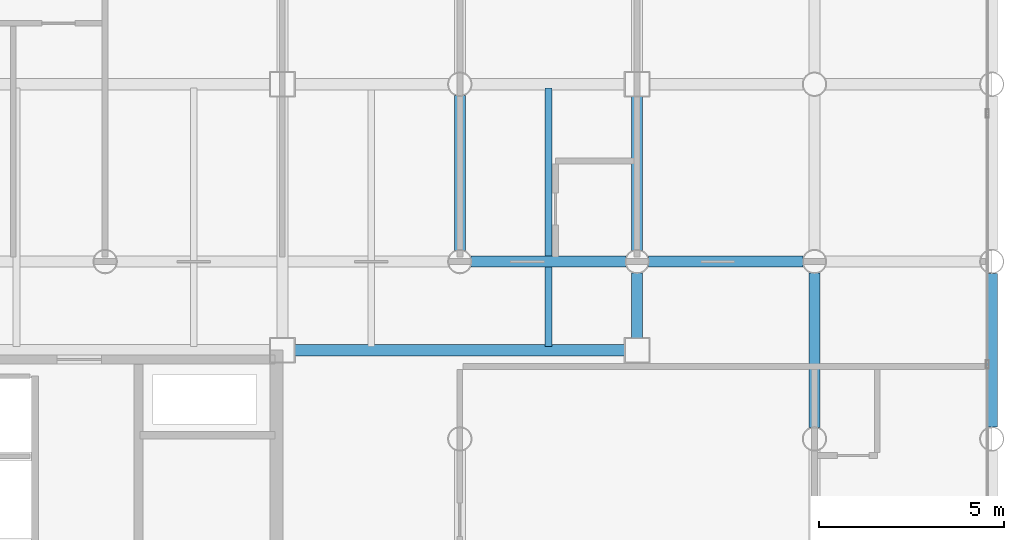
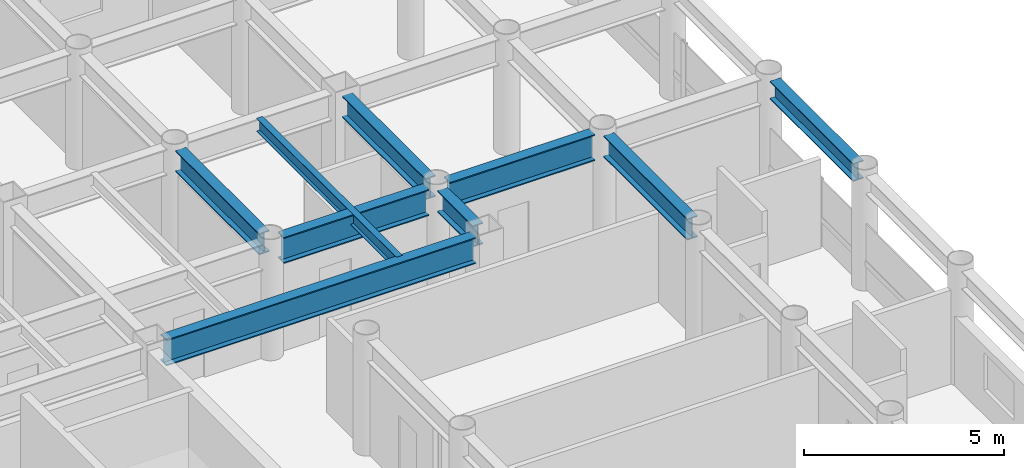
# One storey, part 9 of 22: 9 beams.
"""IFC4 building model written with IfcOpenShell, lengths in metres."""

from ifc_helpers import new_model, si_unit, direction, frame, origin, origin_2d, place, context, subcontext, project, spatial, i_section, extrude, material, material_profile, profile_set, type_object, element, save


model = new_model("IFC4")

# Units and contexts
model_context = context("Model", 3, precision=1e-05, world=origin(), true_north=direction((0.0, 1.0)))
body_context = subcontext(model_context, "Body", "Model", "MODEL_VIEW")
ifc_project = project(units=[si_unit("LENGTHUNIT", "METRE"), si_unit("AREAUNIT", "SQUARE_METRE"), si_unit("VOLUMEUNIT", "CUBIC_METRE"), si_unit("PLANEANGLEUNIT", "RADIAN"), si_unit("MASSUNIT", "GRAM", prefix="KILO")], contexts=[model_context])

# Site, building, storey
site_placement = place(None, origin())
site = spatial("IfcSite", under=ifc_project, at=site_placement, CompositionType="ELEMENT")
building_placement = place(site_placement, origin())
building = spatial("IfcBuilding", under=site, at=building_placement, Name="Kallvorn Hotel Tower", CompositionType="ELEMENT")
storey_placement = place(building_placement, frame((0.0, 0.0, 106.300048828125)))
storey = spatial("IfcBuildingStorey", under=building, at=storey_placement, Name="L25", CompositionType="ELEMENT", Elevation=106.300048828125)

# Beams
ifc_material_1 = material(Name="Structural steel S355JR", Category="steel")
ifc_material_profile_1 = material_profile(ifc_material_1, i_section(OverallWidth=0.300048828125, OverallDepth=0.550048828125, WebThickness=0.014892578125, FlangeThickness=0.029052734375, at=origin_2d()), Name="HE 550 B")
ifc_profile_set_1 = profile_set([ifc_material_profile_1], Name="Structural steel S355JR")
beam_type_1 = type_object("IfcBeamType", Name="BM_HE550B", PredefinedType="SPANDREL", material=ifc_profile_set_1)
beam_1_placement = place(storey_placement, frame((33.60009765625, 5.1201171875, 3.244873046875), z_axis=(0.0, 1.0, 0.0), x_axis=(-1.0, 0.0, 0.0)))
element("IfcBeam", 1, at=beam_1_placement, inside=storey, type_object=beam_type_1, Name="L26 Perimeter Spandrel 186", PredefinedType="SPANDREL", context=body_context, shape_type="SweptSolid", body=[
    extrude(i_section(OverallWidth=0.300048828125, OverallDepth=0.550048828125, WebThickness=0.014892578125, FlangeThickness=0.029052734375, at=origin_2d()), origin(), (0.0, 0.0, 1.0), 4.159912109375),
])
ifc_material_2 = material(Name="Structural steel S355JR", Category="steel")
ifc_material_profile_2 = material_profile(ifc_material_2, i_section(OverallWidth=0.300048828125, OverallDepth=0.64990234375, WebThickness=0.01611328125, FlangeThickness=0.031005859375, at=origin_2d()), Name="HE 650 B")
ifc_profile_set_2 = profile_set([ifc_material_profile_2], Name="Structural steel S355JR")
beam_type_2 = type_object("IfcBeamType", Name="BM_HE650B", PredefinedType="BEAM", material=ifc_profile_set_2)
beam_2_placement = place(storey_placement, frame((19.199951171875, 9.905029296875, 3.195068359375), z_axis=(0.0, 1.0, 0.0), x_axis=(-1.0, 0.0, 0.0)))
element("IfcBeam", 2, at=beam_2_placement, inside=storey, type_object=beam_type_2, Name="L26 Primary Y-Girder 132", PredefinedType="BEAM", context=body_context, shape_type="SweptSolid", body=[
    extrude(i_section(OverallWidth=0.300048828125, OverallDepth=0.64990234375, WebThickness=0.01611328125, FlangeThickness=0.031005859375, at=origin_2d()), origin(), (0.0, 0.0, 1.0), 4.18994140625),
])
beam_3_placement = place(storey_placement, frame((24.0, 7.52490234375, 3.195068359375), z_axis=(0.0, 1.0, 0.0), x_axis=(-1.0, 0.0, 0.0)))
element("IfcBeam", 3, at=beam_3_placement, inside=storey, type_object=beam_type_2, Name="L26 Primary Y-Girder 138", PredefinedType="BEAM", context=body_context, shape_type="SweptSolid", body=[
    extrude(i_section(OverallWidth=0.300048828125, OverallDepth=0.64990234375, WebThickness=0.01611328125, FlangeThickness=0.031005859375, at=origin_2d()), origin(), (0.0, 0.0, 1.0), 1.77001953125),
])
beam_4_placement = place(storey_placement, frame((24.0, 9.905029296875, 3.195068359375), z_axis=(0.0, 1.0, 0.0), x_axis=(-1.0, 0.0, 0.0)))
element("IfcBeam", 4, at=beam_4_placement, inside=storey, type_object=beam_type_2, Name="L26 Primary Y-Girder 139", PredefinedType="BEAM", context=body_context, shape_type="SweptSolid", body=[
    extrude(i_section(OverallWidth=0.300048828125, OverallDepth=0.64990234375, WebThickness=0.01611328125, FlangeThickness=0.031005859375, at=origin_2d()), origin(), (0.0, 0.0, 1.0), 4.169921875),
])
beam_5_placement = place(storey_placement, frame((28.800048828125, 5.10498046875, 3.195068359375), z_axis=(0.0, 1.0, 0.0), x_axis=(-1.0, 0.0, 0.0)))
element("IfcBeam", 5, at=beam_5_placement, inside=storey, type_object=beam_type_2, Name="L26 Primary Y-Girder 147", PredefinedType="BEAM", context=body_context, shape_type="SweptSolid", body=[
    extrude(i_section(OverallWidth=0.300048828125, OverallDepth=0.64990234375, WebThickness=0.01611328125, FlangeThickness=0.031005859375, at=origin_2d()), origin(), (0.0, 0.0, 1.0), 4.18994140625),
])
ifc_material_3 = material(Name="Structural steel S355JR", Category="steel")
ifc_material_profile_3 = material_profile(ifc_material_3, i_section(OverallWidth=0.300048828125, OverallDepth=0.800048828125, WebThickness=0.017578125, FlangeThickness=0.032958984375, at=origin_2d()), Name="HE 800 B")
ifc_profile_set_3 = profile_set([ifc_material_profile_3], Name="Structural steel S355JR")
beam_type_3 = type_object("IfcBeamType", Name="BM_HE800B", PredefinedType="BEAM", material=ifc_profile_set_3)
beam_6_placement = place(storey_placement, frame((14.72509765625, 7.199951171875, 3.119873046875), z_axis=(1.0, 0.0, 0.0), x_axis=(0.0, 1.0, 0.0)))
element("IfcBeam", 6, at=beam_6_placement, inside=storey, type_object=beam_type_3, Name="L26 Primary X-Girder 40", PredefinedType="BEAM", context=body_context, shape_type="SweptSolid", body=[
    extrude(i_section(OverallWidth=0.300048828125, OverallDepth=0.800048828125, WebThickness=0.017578125, FlangeThickness=0.032958984375, at=origin_2d()), origin(), (0.0, 0.0, 1.0), 8.949951171875),
])
for number, where, z_axis, x_axis, name in (
    (7, (19.5048828125, 9.60009765625, 3.119873046875), (1.0, 0.0, 0.0), (0.0, 1.0, 0.0), "L26 Primary X-Girder 47"),
    (8, (24.304931640625, 9.60009765625, 3.119873046875), (1.0, 0.0, 0.0), (0.0, 1.0, 0.0), "L26 Primary X-Girder 48"),
):
    element("IfcBeam", number, at=place(storey_placement, frame(where, z_axis=z_axis, x_axis=x_axis)), inside=storey, type_object=beam_type_3, Name=name, PredefinedType="BEAM", context=body_context, shape_type="SweptSolid", body=[
        extrude(i_section(OverallWidth=0.300048828125, OverallDepth=0.800048828125, WebThickness=0.017578125, FlangeThickness=0.032958984375, at=origin_2d()), origin(), (0.0, 0.0, 1.0), 4.190185546875),
    ])
ifc_material_4 = material(Name="Structural steel S355JR", Category="steel")
ifc_material_profile_4 = material_profile(ifc_material_4, i_section(OverallWidth=0.179931640625, OverallDepth=0.39990234375, WebThickness=0.008544921875, FlangeThickness=0.013427734375, at=origin_2d()), Name="IPE 400")
ifc_profile_set_4 = profile_set([ifc_material_profile_4], Name="Structural steel S355JR")
beam_type_4 = type_object("IfcBeamType", Name="BM_IPE400", PredefinedType="JOIST", material=ifc_profile_set_4)
beam_7_placement = place(storey_placement, frame((21.60009765625, 7.300048828125, 3.320068359375), z_axis=(0.0, 1.0, 0.0), x_axis=(-1.0, 0.0, 0.0)))
element("IfcBeam", 9, at=beam_7_placement, inside=storey, type_object=beam_type_4, Name="L26 Secondary Composite Joist 209", PredefinedType="JOIST", context=body_context, shape_type="SweptSolid", body=[
    extrude(i_section(OverallWidth=0.179931640625, OverallDepth=0.39990234375, WebThickness=0.008544921875, FlangeThickness=0.013427734375, at=origin_2d()), origin(), (0.0, 0.0, 1.0), 7.0),
])

save(model, "model.ifc")
